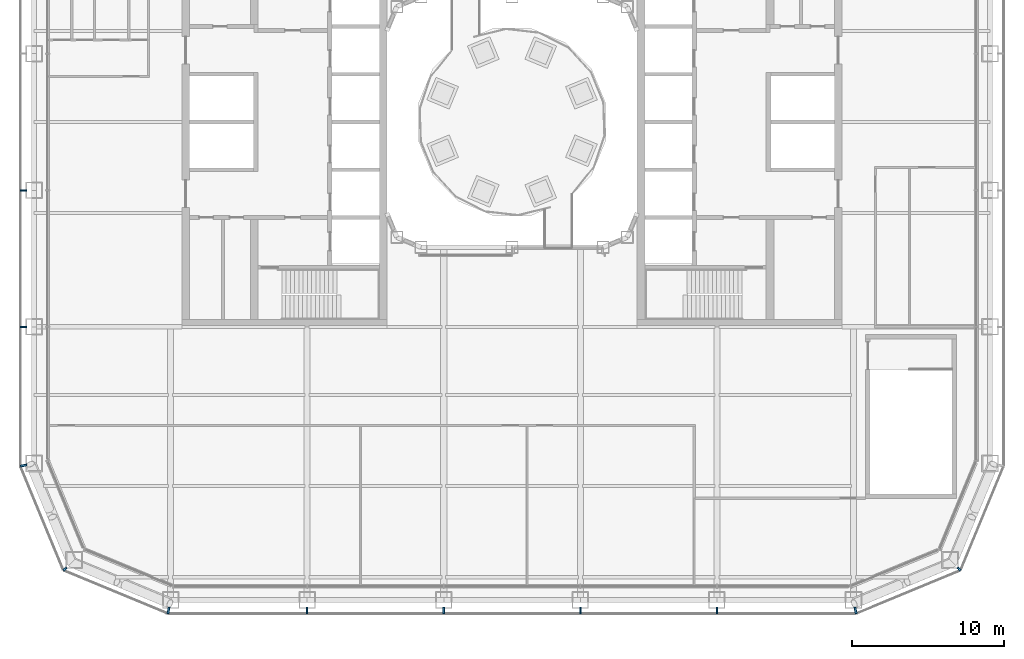
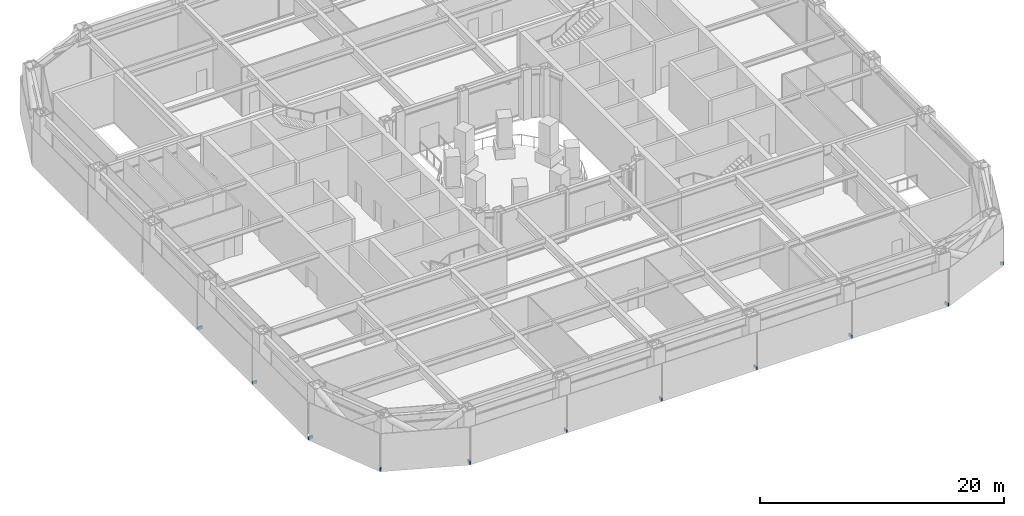
# One storey, part 16 of 25: 11 discrete accessories.
"""IFC4 building model written with IfcOpenShell, lengths in metres."""

from ifc_helpers import new_model, si_unit, direction, frame, origin, origin_2d, place, context, subcontext, project, spatial, rectangle, extrude, material, type_object, element, save


model = new_model("IFC4")

# Units and contexts
model_context = context("Model", 3, precision=1e-05, world=origin(), true_north=direction((0.0, 1.0)))
body_context = subcontext(model_context, "Body", "Model", "MODEL_VIEW")
ifc_project = project(units=[si_unit("LENGTHUNIT", "METRE"), si_unit("AREAUNIT", "SQUARE_METRE"), si_unit("VOLUMEUNIT", "CUBIC_METRE"), si_unit("PLANEANGLEUNIT", "RADIAN"), si_unit("MASSUNIT", "GRAM", prefix="KILO")], contexts=[model_context])

# Site, building, storey
site_placement = place(None, origin())
site = spatial("IfcSite", under=ifc_project, at=site_placement, CompositionType="ELEMENT")
building_placement = place(site_placement, origin())
building = spatial("IfcBuilding", under=site, at=building_placement, Name="Siwar Civic Tower", CompositionType="ELEMENT")
storey_placement = place(building_placement, frame((0.0, 0.0, 17.199951171875)))
storey = spatial("IfcBuildingStorey", under=building, at=storey_placement, Name="L03", CompositionType="ELEMENT", Elevation=17.199951171875)

# Discrete accessories
ifc_material = material(Name="Stainless steel 316", Category="steel")
discrete_accessory_type = type_object("IfcDiscreteAccessoryType", Name="ENV-BRACKET", PredefinedType="BRACKET", material=ifc_material)
for number, where, z_axis, x_axis, name in (
    (1, (-13.5, -32.18994140625, -0.14990234375), (0.0, 0.0, 1.0), (0.0, -1.0, 0.0), "Bracket outer skin joint S-01"),
    (2, (-4.5, -32.18994140625, -0.14990234375), (0.0, 0.0, 1.0), (0.0, -1.0, 0.0), "Bracket outer skin joint S-02"),
    (3, (4.5, -32.18994140625, -0.14990234375), (0.0, 0.0, 1.0), (0.0, -1.0, 0.0), "Bracket outer skin joint S-03"),
    (4, (13.5, -32.18994140625, -0.14990234375), (0.0, 0.0, 1.0), (0.0, -1.0, 0.0), "Bracket outer skin joint S-04"),
):
    element("IfcDiscreteAccessory", number, at=place(storey_placement, frame(where, z_axis=z_axis, x_axis=x_axis)), inside=storey, type_object=discrete_accessory_type, Name=name, PredefinedType="BRACKET", context=body_context, shape_type="SweptSolid", body=[
        extrude(rectangle(XDim=0.419921875, YDim=0.10009765625, at=origin_2d()), origin(), (0.0, 0.0, 1.0), 0.300048828125),
    ])
for number, where, z_axis, x_axis, name in (
    (5, (-22.63720703125, -32.190185546875, -0.14990234375), (0.0, 0.0, 1.0), (-0.195090322016, -0.980785280403, 0.0), "Bracket outer skin joint V00"),
    (6, (22.63720703125, -32.190185546875, -0.14990234375), (0.0, 0.0, 1.0), (0.195090322016, -0.980785280403, 0.0), "Bracket outer skin joint V01"),
):
    element("IfcDiscreteAccessory", number, at=place(storey_placement, frame(where, z_axis=z_axis, x_axis=x_axis)), inside=storey, type_object=discrete_accessory_type, Name=name, PredefinedType="BRACKET", context=body_context, shape_type="SweptSolid", body=[
        extrude(rectangle(XDim=0.427734375, YDim=0.13720703125, at=origin_2d()), origin(), (0.0, 0.0, 1.0), 0.300048828125),
    ])
discrete_accessory_1_placement = place(storey_placement, frame((29.451416015625, -29.451416015625, -0.14990234375), z_axis=(0.0, 0.0, 1.0), x_axis=(0.707106781187, -0.707106781187, 0.0)))
element("IfcDiscreteAccessory", 7, at=discrete_accessory_1_placement, inside=storey, type_object=discrete_accessory_type, Name="Bracket outer skin joint V02", PredefinedType="BRACKET", context=body_context, shape_type="SweptSolid", body=[
    extrude(rectangle(XDim=0.287109375, YDim=0.12939453125, at=origin_2d()), origin(), (0.0, 0.0, 1.0), 0.300048828125),
])
discrete_accessory_2_placement = place(storey_placement, frame((-32.190185546875, -22.63720703125, -0.14990234375), z_axis=(0.0, 0.0, 1.0), x_axis=(-0.980785280403, -0.195090322016, 0.0)))
element("IfcDiscreteAccessory", 8, at=discrete_accessory_2_placement, inside=storey, type_object=discrete_accessory_type, Name="Bracket outer skin joint V10", PredefinedType="BRACKET", context=body_context, shape_type="SweptSolid", body=[
    extrude(rectangle(XDim=0.427734375, YDim=0.13720703125, at=origin_2d()), origin(), (0.0, 0.0, 1.0), 0.300048828125),
])
discrete_accessory_3_placement = place(storey_placement, frame((-29.451416015625, -29.451416015625, -0.14990234375), z_axis=(0.0, 0.0, 1.0), x_axis=(-0.707106781187, -0.707106781187, 0.0)))
element("IfcDiscreteAccessory", 9, at=discrete_accessory_3_placement, inside=storey, type_object=discrete_accessory_type, Name="Bracket outer skin joint V11", PredefinedType="BRACKET", context=body_context, shape_type="SweptSolid", body=[
    extrude(rectangle(XDim=0.287109375, YDim=0.12939453125, at=origin_2d()), origin(), (0.0, 0.0, 1.0), 0.300048828125),
])
for number, where, z_axis, x_axis, name in (
    (10, (-32.18994140625, -4.5, -0.14990234375), (0.0, 0.0, 1.0), (-1.0, 0.0, 0.0), "Bracket outer skin joint W-03"),
    (11, (-32.18994140625, -13.5, -0.14990234375), (0.0, 0.0, 1.0), (-1.0, 0.0, 0.0), "Bracket outer skin joint W-04"),
):
    element("IfcDiscreteAccessory", number, at=place(storey_placement, frame(where, z_axis=z_axis, x_axis=x_axis)), inside=storey, type_object=discrete_accessory_type, Name=name, PredefinedType="BRACKET", context=body_context, shape_type="SweptSolid", body=[
        extrude(rectangle(XDim=0.419921875, YDim=0.10009765625, at=origin_2d()), origin(), (0.0, 0.0, 1.0), 0.300048828125),
    ])

save(model, "model.ifc")
